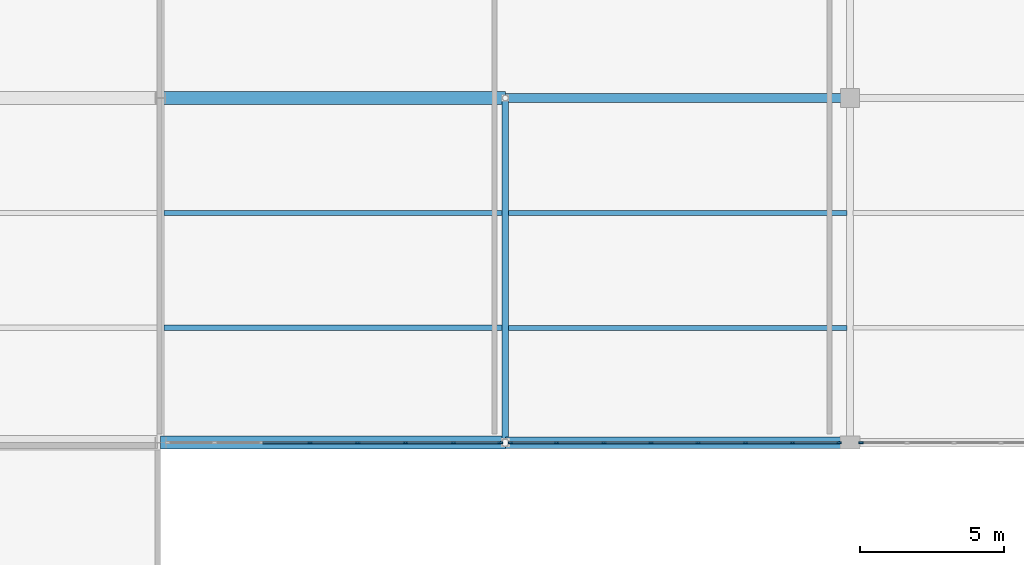
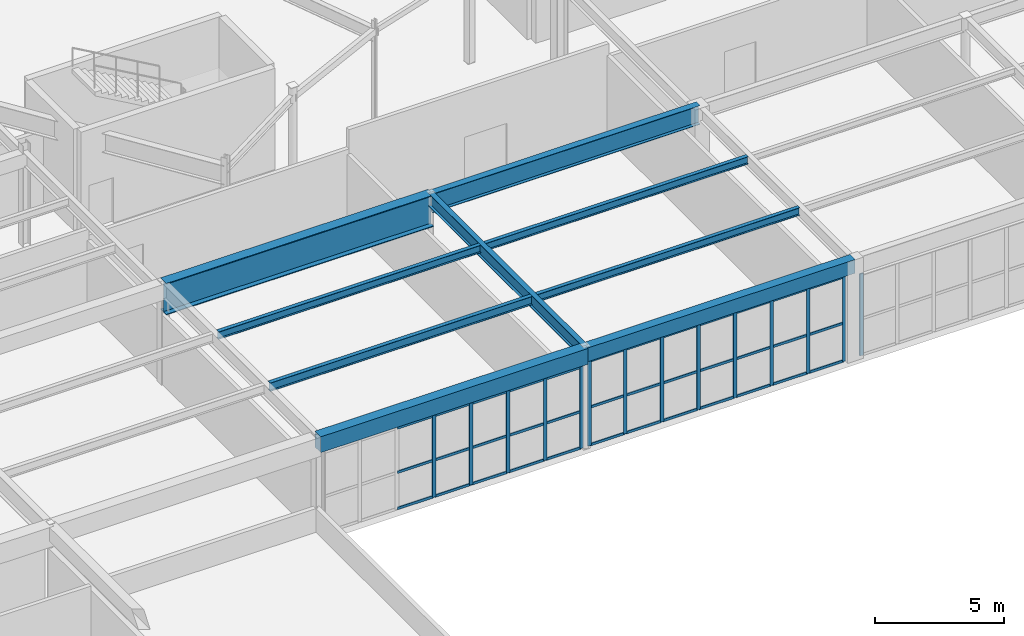
# One storey, part 74 of 186: 50 members, 9 beams, 3 elements without a shape of their own.
"""IFC4 building model written with IfcOpenShell, lengths in metres."""

import ifcopenshell
import ifcopenshell.guid

model = None  # the IFC model being written
_history = None  # IfcOwnerHistory: only IFC2X3 demands one
_inside = {}  # id of a spatial element -> (the spatial element, [elements in it])
_under = {}  # id of a project, library or spatial element -> (it, [spatial elements below it])
_declared = {}  # id of a project -> (the project, [libraries it declares])
_typed = {}  # id of a type object -> (the type object, [elements of that type])
_made_of = {}  # id of a material, layer set ... -> (it, [elements and type objects made of it])


def new_model(schema):
    """Start an empty IFC model of exactly this schema.

    Asked for "IFC4X3", IfcOpenShell would pick the latest addendum, in which some entities
    have other attributes; the version numbers below select the first issue.
    IFC2X3 requires an IfcOwnerHistory on every rooted entity: one is made here for all.
    """
    global model, _history
    if schema == "IFC4X3":
        model = ifcopenshell.file(schema_version=(4, 3, 0, 0))
    else:
        model = ifcopenshell.file(schema=schema)
    _inside.clear()
    _under.clear()
    _declared.clear()
    _typed.clear()
    _made_of.clear()
    _history = None
    if model.schema == "IFC2X3":
        org = make("IfcOrganization", Name="unknown")
        user = make(
            "IfcPersonAndOrganization",
            ThePerson=make("IfcPerson", FamilyName="unknown"),
            TheOrganization=org,
        )
        app = make(
            "IfcApplication",
            ApplicationDeveloper=org,
            Version="unknown",
            ApplicationFullName="unknown",
            ApplicationIdentifier="unknown",
        )
        _history = make(
            "IfcOwnerHistory",
            OwningUser=user,
            OwningApplication=app,
            ChangeAction="ADDED",
            CreationDate=0,
        )
    return model


def make(cls, **values):
    """One entity of the class cls with the attributes given. An attribute that is None is left unset."""
    return model.create_entity(
        cls, **{name: value for name, value in values.items() if value is not None}
    )


def rooted(cls, **values):
    """An entity with a GlobalId (a new one), such as an element, a storey or a relation."""
    return make(cls, GlobalId=ifcopenshell.guid.new(), OwnerHistory=_history, **values)


def si_unit(unit_type, name, prefix=None):
    """IfcSIUnit, for example si_unit("LENGTHUNIT", "METRE", prefix="MILLI")."""
    return make("IfcSIUnit", UnitType=unit_type, Prefix=prefix, Name=name)


def assignment(units):
    """IfcUnitAssignment: the units of a project."""
    return None if units is None else make("IfcUnitAssignment", Units=units)


def point(xyz):
    """IfcCartesianPoint."""
    return None if xyz is None else make("IfcCartesianPoint", Coordinates=xyz)


def direction(xyz):
    """IfcDirection."""
    return None if xyz is None else make("IfcDirection", DirectionRatios=xyz)


def frame(location, z_axis=None, x_axis=None):
    """IfcAxis2Placement3D, a coordinate frame: its origin and axes. An axis left out is left unset."""
    return make(
        "IfcAxis2Placement3D",
        Location=point(location),
        Axis=direction(z_axis),
        RefDirection=direction(x_axis),
    )


def frame_2d(location, x_axis=None):
    """IfcAxis2Placement2D, a coordinate frame in the plane: its origin and x axis."""
    return make(
        "IfcAxis2Placement2D", Location=point(location), RefDirection=direction(x_axis)
    )


def origin():
    """The frame at (0, 0, 0) with its axes left unset."""
    return frame((0.0, 0.0, 0.0))


def origin_2d():
    """The frame at (0, 0) in the plane with its x axis left unset."""
    return frame_2d((0.0, 0.0))


def place(relative_to, where):
    """IfcLocalPlacement: puts the frame where relative to a parent placement (None: the world)."""
    return make(
        "IfcLocalPlacement", PlacementRelTo=relative_to, RelativePlacement=where
    )


def context(
    kind, dimensions, precision=None, world=None, true_north=None, identifier=None
):
    """IfcGeometricRepresentationContext, for example the 3D "Model" context."""
    return make(
        "IfcGeometricRepresentationContext",
        ContextIdentifier=identifier,
        ContextType=kind,
        CoordinateSpaceDimension=dimensions,
        Precision=precision,
        WorldCoordinateSystem=world,
        TrueNorth=true_north,
    )


def subcontext(parent, identifier, kind, view, scale=None):
    """IfcGeometricRepresentationSubContext, for example "Body" below "Model"."""
    return make(
        "IfcGeometricRepresentationSubContext",
        ContextIdentifier=identifier,
        ContextType=kind,
        ParentContext=parent,
        TargetScale=scale,
        TargetView=view,
    )


def project(units=None, contexts=None):
    """IfcProject with its units and contexts."""
    return rooted(
        "IfcProject",
        Name="project",
        RepresentationContexts=contexts,
        UnitsInContext=assignment(units),
    )


def spatial(cls, under=None, at=None, **own):
    """A site, building, storey or space (cls), placed at a placement, below another one or the project."""
    s = rooted(cls, ObjectPlacement=at, **own)
    if under is not None:
        _under.setdefault(under.id(), (under, []))[1].append(s)
    return s


def profile(cls, at=None, kind="AREA", **sizes):
    """A parametric profile (cls). Its sizes go by their IFC names, for example OverallWidth=200.0."""
    return make(cls, ProfileType=kind, Position=at, **sizes)


def rectangle(**sizes):
    """IfcRectangleProfileDef."""
    return profile("IfcRectangleProfileDef", **sizes)


def i_section(**sizes):
    """IfcIShapeProfileDef."""
    return profile("IfcIShapeProfileDef", **sizes)


def extrude(swept, where, along, depth):
    """IfcExtrudedAreaSolid: the profile swept, set in the frame where, extruded along a direction by depth."""
    return make(
        "IfcExtrudedAreaSolid",
        SweptArea=swept,
        Position=where,
        ExtrudedDirection=direction(along),
        Depth=depth,
    )


def shape(context_of_items, identifier, shape_type, items):
    """IfcShapeRepresentation: the items that make up one representation, for example the "Body"."""
    return make(
        "IfcShapeRepresentation",
        ContextOfItems=context_of_items,
        RepresentationIdentifier=identifier,
        RepresentationType=shape_type,
        Items=items,
    )


def material(Name=None, Category=None):
    """IfcMaterial."""
    return make("IfcMaterial", Name=Name, Category=Category)


def layer(
    of_material, thickness, ventilated=None, Name=None, Category=None, Priority=None
):
    """IfcMaterialLayer: one layer of a wall or slab, of a material (None: an air gap)."""
    return make(
        "IfcMaterialLayer",
        Material=of_material,
        LayerThickness=thickness,
        IsVentilated=ventilated,
        Name=Name,
        Category=Category,
        Priority=Priority,
    )


def layer_set(layers, Name=None):
    """IfcMaterialLayerSet."""
    return make("IfcMaterialLayerSet", MaterialLayers=layers, LayerSetName=Name)


def material_profile(
    of_material, cross_section, Name=None, Category=None, Priority=None
):
    """IfcMaterialProfile: a cross section and its material."""
    return make(
        "IfcMaterialProfile",
        Name=Name,
        Material=of_material,
        Profile=cross_section,
        Priority=Priority,
        Category=Category,
    )


def profile_set(profiles, Name=None, composite=None):
    """IfcMaterialProfileSet."""
    return make(
        "IfcMaterialProfileSet",
        Name=Name,
        MaterialProfiles=profiles,
        CompositeProfile=composite,
    )


def made_of(thing, what):
    """Note that an element or type object is made of a material, layer set ...; save() writes the relation."""
    if what is not None:
        _made_of.setdefault(what.id(), (what, []))[1].append(thing)
    return thing


def type_object(cls, material=None, **own):
    """A type object (cls), such as IfcWallType, which elements share."""
    return made_of(rooted(cls, **own), material)


def element(
    cls,
    number,
    at=None,
    inside=None,
    cuts=None,
    type_object=None,
    material=None,
    context=None,
    identifier="Body",
    shape_type=None,
    held_by="IfcProductDefinitionShape",
    body=None,
    shapes=None,
    **own,
):
    """One element of the class cls, such as IfcWall. Its Tag is "e" and its number.

    at: its placement. inside: the storey or other place that contains it. cuts: it is an
    opening in that element (IfcRelVoidsElement). A single representation is given by context,
    identifier, shape_type and body (its items); several are given by shapes. held_by: the class
    of the entity that holds the representations. save() writes the other relations.
    """
    e = rooted(cls, Tag="e%d" % number, ObjectPlacement=at, **own)
    if body is not None:
        shapes = [shape(context, identifier, shape_type, body)]
    if shapes is not None:
        e.Representation = make(held_by, Representations=shapes)
    if inside is not None:
        _inside.setdefault(inside.id(), (inside, []))[1].append(e)
    if cuts is not None:
        rooted(
            "IfcRelVoidsElement", RelatingBuildingElement=cuts, RelatedOpeningElement=e
        )
    if type_object is not None:
        _typed.setdefault(type_object.id(), (type_object, []))[1].append(e)
    return made_of(e, material)


def aggregate(whole, parts):
    """IfcRelAggregates: a whole, such as a stair, and the parts it consists of."""
    return rooted("IfcRelAggregates", RelatingObject=whole, RelatedObjects=parts)


def save(model, path):
    """Write the relations noted so far, then the file.

    IfcRelAggregates (storeys below a building ...), IfcRelContainedInSpatialStructure (elements
    in a storey), IfcRelDefinesByType, IfcRelAssociatesMaterial and IfcRelDeclares: one each for
    every whole, place, type object, material and project.
    """
    for whole, parts in _under.values():
        aggregate(whole, parts)
    for where, things in _inside.values():
        rooted(
            "IfcRelContainedInSpatialStructure",
            RelatedElements=things,
            RelatingStructure=where,
        )
    for kind, things in _typed.values():
        rooted("IfcRelDefinesByType", RelatedObjects=things, RelatingType=kind)
    for what, things in _made_of.values():
        rooted("IfcRelAssociatesMaterial", RelatedObjects=things, RelatingMaterial=what)
    for by, libraries in _declared.values():
        rooted("IfcRelDeclares", RelatingContext=by, RelatedDefinitions=libraries)
    model.write(path)


model = new_model("IFC4")

# Units and contexts
model_context = context("Model", 3, precision=1e-05, world=origin(), true_north=direction((0.0, 1.0)))
body_context = subcontext(model_context, "Body", "Model", "MODEL_VIEW")
ifc_project = project(units=[si_unit("LENGTHUNIT", "METRE"), si_unit("AREAUNIT", "SQUARE_METRE"), si_unit("VOLUMEUNIT", "CUBIC_METRE"), si_unit("PLANEANGLEUNIT", "RADIAN"), si_unit("MASSUNIT", "GRAM", prefix="KILO")], contexts=[model_context])

# Site, building, storey
site_placement = place(None, origin())
site = spatial("IfcSite", under=ifc_project, at=site_placement, CompositionType="ELEMENT")
building_placement = place(site_placement, origin())
building = spatial("IfcBuilding", under=site, at=building_placement, Name="Tarnwether General Hospital", CompositionType="ELEMENT")
storey_placement = place(building_placement, frame((0.0, 0.0, 9.60009765625)))
storey = spatial("IfcBuildingStorey", under=building, at=storey_placement, Name="L02", CompositionType="ELEMENT", Elevation=9.60009765625)

# Beams
ifc_material_1 = material(Name="Steel Grade 350 (350 MPa)", Category="steel")
ifc_material_profile_1 = material_profile(ifc_material_1, i_section(OverallWidth=0.300048828125, OverallDepth=0.89990234375, WebThickness=0.011962890625, FlangeThickness=0.02001953125, at=origin_2d()), Name="900WB175")
ifc_profile_set_1 = profile_set([ifc_material_profile_1], Name="Steel Grade 350 (350 MPa)")
beam_type_1 = type_object("IfcBeamType", Name="BM-G01", PredefinedType="BEAM", material=ifc_profile_set_1)
beam_1_placement = place(storey_placement, frame((72.0, 93.60009765625, 4.349853515625), z_axis=(1.0, 0.0, 0.0), x_axis=(0.0, 1.0, 0.0)))
element("IfcBeam", 1, at=beam_1_placement, inside=storey, type_object=beam_type_1, Name="Primary Girder BMG-L02-7200_9360-8400_9360-1503", PredefinedType="BEAM", context=body_context, shape_type="SweptSolid", body=[
    extrude(i_section(OverallWidth=0.300048828125, OverallDepth=0.89990234375, WebThickness=0.011962890625, FlangeThickness=0.02001953125, at=origin_2d()), origin(), (0.0, 0.0, 1.0), 12.0),
])
ifc_material_2 = material(Name="Steel Grade 350 (350 MPa)", Category="steel")
ifc_material_profile_2 = material_profile(ifc_material_2, i_section(OverallWidth=0.22900390625, OverallDepth=0.612060546875, WebThickness=0.011962890625, FlangeThickness=0.01953125, at=origin_2d()), Name="610UB125")
ifc_profile_set_2 = profile_set([ifc_material_profile_2], Name="Steel Grade 350 (350 MPa)")
beam_type_2 = type_object("IfcBeamType", Name="BM-G03", PredefinedType="BEAM", material=ifc_profile_set_2)
beam_2_placement = place(storey_placement, frame((72.0, 81.60009765625, 4.493896484375), z_axis=(0.0, 1.0, 0.0), x_axis=(-1.0, 0.0, 0.0)))
element("IfcBeam", 2, at=beam_2_placement, inside=storey, type_object=beam_type_2, Name="Primary Girder BMG-L02-7200_8160-7200_9360-1502", PredefinedType="BEAM", context=body_context, shape_type="SweptSolid", body=[
    extrude(i_section(OverallWidth=0.22900390625, OverallDepth=0.612060546875, WebThickness=0.011962890625, FlangeThickness=0.01953125, at=origin_2d()), origin(), (0.0, 0.0, 1.0), 12.0),
])
ifc_material_3 = material(Name="Concrete 40 MPa", Category="concrete")
ifc_material_profile_3 = material_profile(ifc_material_3, rectangle(XDim=0.449951171875, YDim=0.75, at=origin_2d()), Name="RC-BM-450x750")
ifc_profile_set_3 = profile_set([ifc_material_profile_3], Name="Concrete 40 MPa")
beam_type_3 = type_object("IfcBeamType", Name="BM-G13", PredefinedType="BEAM", material=ifc_profile_set_3)
beam_3_placement = place(storey_placement, frame((60.0, 81.60009765625, 4.4248046875), z_axis=(1.0, 0.0, 0.0), x_axis=(0.0, 1.0, 0.0)))
element("IfcBeam", 3, at=beam_3_placement, inside=storey, type_object=beam_type_3, Name="Primary Girder BMG-L02-6000_8160-7200_8160-1491", PredefinedType="BEAM", context=body_context, shape_type="SweptSolid", body=[
    extrude(rectangle(XDim=0.449951171875, YDim=0.75, at=origin_2d()), origin(), (0.0, 0.0, 1.0), 12.0),
])
ifc_material_4 = material(Name="Concrete 40 MPa", Category="concrete")
ifc_material_profile_4 = material_profile(ifc_material_4, rectangle(XDim=0.39990234375, YDim=0.64990234375, at=origin_2d()), Name="RC-BM-400x650")
ifc_profile_set_4 = profile_set([ifc_material_profile_4], Name="Concrete 40 MPa")
beam_type_4 = type_object("IfcBeamType", Name="BM-G14", PredefinedType="BEAM", material=ifc_profile_set_4)
beam_4_placement = place(storey_placement, frame((72.0, 81.60009765625, 4.474853515625), z_axis=(1.0, 0.0, 0.0), x_axis=(0.0, 1.0, 0.0)))
element("IfcBeam", 4, at=beam_4_placement, inside=storey, type_object=beam_type_4, Name="Primary Girder BMG-L02-7200_8160-8400_8160-1501", PredefinedType="BEAM", context=body_context, shape_type="SweptSolid", body=[
    extrude(rectangle(XDim=0.39990234375, YDim=0.64990234375, at=origin_2d()), origin(), (0.0, 0.0, 1.0), 12.0),
])
ifc_material_5 = material(Name="Steel Grade 350 (350 MPa)", Category="steel")
ifc_material_profile_5 = material_profile(ifc_material_5, i_section(OverallWidth=0.177978515625, OverallDepth=0.403076171875, WebThickness=0.007568359375, FlangeThickness=0.010986328125, at=origin_2d()), Name="410UB53.7")
ifc_profile_set_5 = profile_set([ifc_material_profile_5], Name="Steel Grade 350 (350 MPa)")
beam_type_5 = type_object("IfcBeamType", Name="BM-J02", PredefinedType="JOIST", material=ifc_profile_set_5)
beam_5_placement = place(storey_placement, frame((60.118896484375, 85.60009765625, 4.598388671875), z_axis=(1.0, 0.0, 0.0), x_axis=(0.0, 1.0, 0.0)))
element("IfcBeam", 5, at=beam_5_placement, inside=storey, type_object=beam_type_5, Name="Composite Floor Joist BMG-L02-6012_8560-7189_8560-1680", PredefinedType="JOIST", context=body_context, shape_type="SweptSolid", body=[
    extrude(i_section(OverallWidth=0.177978515625, OverallDepth=0.403076171875, WebThickness=0.007568359375, FlangeThickness=0.010986328125, at=origin_2d()), origin(), (0.0, 0.0, 1.0), 11.772216796875),
])
ifc_material_6 = material(Name="Steel Grade 350 (350 MPa)", Category="steel")
ifc_material_profile_6 = material_profile(ifc_material_6, i_section(OverallWidth=0.172119140625, OverallDepth=0.35888671875, WebThickness=0.008056640625, FlangeThickness=0.012939453125, at=origin_2d()), Name="360UB56.7")
ifc_profile_set_6 = profile_set([ifc_material_profile_6], Name="Steel Grade 350 (350 MPa)")
beam_type_6 = type_object("IfcBeamType", Name="BM-J03", PredefinedType="JOIST", material=ifc_profile_set_6)
beam_6_placement = place(storey_placement, frame((60.118896484375, 89.60009765625, 4.620361328125), z_axis=(1.0, 0.0, 0.0), x_axis=(0.0, 1.0, 0.0)))
element("IfcBeam", 6, at=beam_6_placement, inside=storey, type_object=beam_type_6, Name="Composite Floor Joist BMG-L02-6012_8960-7189_8960-1681", PredefinedType="JOIST", context=body_context, shape_type="SweptSolid", body=[
    extrude(i_section(OverallWidth=0.172119140625, OverallDepth=0.35888671875, WebThickness=0.008056640625, FlangeThickness=0.012939453125, at=origin_2d()), origin(), (0.0, 0.0, 1.0), 11.772216796875),
])
beam_7_placement = place(storey_placement, frame((72.10888671875, 85.60009765625, 4.620361328125), z_axis=(1.0, 0.0, 0.0), x_axis=(0.0, 1.0, 0.0)))
element("IfcBeam", 7, at=beam_7_placement, inside=storey, type_object=beam_type_6, Name="Composite Floor Joist BMG-L02-7211_8560-8389_8560-1684", PredefinedType="JOIST", context=body_context, shape_type="SweptSolid", body=[
    extrude(i_section(OverallWidth=0.172119140625, OverallDepth=0.35888671875, WebThickness=0.008056640625, FlangeThickness=0.012939453125, at=origin_2d()), origin(), (0.0, 0.0, 1.0), 11.783203125),
])
ifc_material_7 = material(Name="Steel Grade 350 (350 MPa)", Category="steel")
ifc_material_profile_7 = material_profile(ifc_material_7, i_section(OverallWidth=0.1708984375, OverallDepth=0.35595703125, WebThickness=0.00732421875, FlangeThickness=0.011474609375, at=origin_2d()), Name="360UB50.7")
ifc_profile_set_7 = profile_set([ifc_material_profile_7], Name="Steel Grade 350 (350 MPa)")
beam_type_7 = type_object("IfcBeamType", Name="BM-J04", PredefinedType="JOIST", material=ifc_profile_set_7)
beam_8_placement = place(storey_placement, frame((72.10888671875, 89.60009765625, 4.621826171875), z_axis=(1.0, 0.0, 0.0), x_axis=(0.0, 1.0, 0.0)))
element("IfcBeam", 8, at=beam_8_placement, inside=storey, type_object=beam_type_7, Name="Composite Floor Joist BMG-L02-7211_8960-8389_8960-1685", PredefinedType="JOIST", context=body_context, shape_type="SweptSolid", body=[
    extrude(i_section(OverallWidth=0.1708984375, OverallDepth=0.35595703125, WebThickness=0.00732421875, FlangeThickness=0.011474609375, at=origin_2d()), origin(), (0.0, 0.0, 1.0), 11.783203125),
])
ifc_material_8 = material(Name="Steel Grade 350 (350 MPa)", Category="steel")
ifc_material_profile_8 = material_profile(ifc_material_8, i_section(OverallWidth=0.449951171875, OverallDepth=1.5, WebThickness=0.01806640625, FlangeThickness=0.035888671875, at=origin_2d()), Name="1500WB420")
ifc_profile_set_8 = profile_set([ifc_material_profile_8], Name="Steel Grade 350 (350 MPa)")
beam_type_8 = type_object("IfcBeamType", Name="BM-TG1", PredefinedType="BEAM", material=ifc_profile_set_8)
beam_9_placement = place(storey_placement, frame((60.0, 93.60009765625, 4.0498046875), z_axis=(1.0, 0.0, 0.0), x_axis=(0.0, 1.0, 0.0)))
element("IfcBeam", 9, at=beam_9_placement, inside=storey, type_object=beam_type_8, Name="Transfer Girder TG-01 North West BMG-L02-6000_9360-7200_9360-0005", PredefinedType="BEAM", context=body_context, shape_type="SweptSolid", body=[
    extrude(i_section(OverallWidth=0.449951171875, OverallDepth=1.5, WebThickness=0.01806640625, FlangeThickness=0.035888671875, at=origin_2d()), origin(), (0.0, 0.0, 1.0), 12.0),
])

# Curtain wall, members
ifc_material_9 = material(Name="Anodised aluminium", Category="aluminium")
ifc_layer = layer(ifc_material_9, 0.159912109375)
ifc_layer_set = layer_set([ifc_layer], Name="Anodised aluminium")
curtain_wall_type = type_object("IfcCurtainWallType", Name="CW-23", PredefinedType="NOTDEFINED", material=ifc_layer_set)
curtain_wall_1_placement = place(storey_placement, origin())
curtain_wall_1 = element("IfcCurtainWall", 10, at=curtain_wall_1_placement, inside=storey, type_object=curtain_wall_type, Name="Curtain Wall CWG-L02-602_816-0426", PredefinedType="NOTDEFINED")
ifc_material_10 = material(Name="Anodised aluminium", Category="aluminium")
ifc_material_profile_9 = material_profile(ifc_material_10, rectangle(XDim=0.06005859375, YDim=0.159912109375, at=origin_2d()), Name="ALU-MUL-60x160")
ifc_profile_set_9 = profile_set([ifc_material_profile_9], Name="Anodised aluminium")
member_type_1 = type_object("IfcMemberType", Name="CW-ML1", PredefinedType="MULLION", material=ifc_profile_set_9)
member_1_placement = place(storey_placement, frame((65.199462890625, 81.60009765625, 0.0), z_axis=(0.0, 0.0, 1.0), x_axis=(0.0, 1.0, 0.0)))
member_1 = element("IfcMember", 11, at=member_1_placement, type_object=member_type_1, Name="CW-23 mullion 4", PredefinedType="MULLION", context=body_context, shape_type="SweptSolid", body=[
    extrude(rectangle(XDim=0.06005859375, YDim=0.159912109375, at=origin_2d()), origin(), (0.0, 0.0, 1.0), 3.885009765625),
])
member_2_placement = place(storey_placement, frame((66.863525390625, 81.60009765625, 0.0), z_axis=(0.0, 0.0, 1.0), x_axis=(0.0, 1.0, 0.0)))
member_2 = element("IfcMember", 12, at=member_2_placement, type_object=member_type_1, Name="CW-23 mullion 5", PredefinedType="MULLION", context=body_context, shape_type="SweptSolid", body=[
    extrude(rectangle(XDim=0.06005859375, YDim=0.159912109375, at=origin_2d()), origin(), (0.0, 0.0, 1.0), 3.885009765625),
])
member_3_placement = place(storey_placement, frame((68.52734375, 81.60009765625, 0.0), z_axis=(0.0, 0.0, 1.0), x_axis=(0.0, 1.0, 0.0)))
member_3 = element("IfcMember", 13, at=member_3_placement, type_object=member_type_1, Name="CW-23 mullion 6", PredefinedType="MULLION", context=body_context, shape_type="SweptSolid", body=[
    extrude(rectangle(XDim=0.06005859375, YDim=0.159912109375, at=origin_2d()), origin(), (0.0, 0.0, 1.0), 3.885009765625),
])
member_4_placement = place(storey_placement, frame((70.191162109375, 81.60009765625, 0.0), z_axis=(0.0, 0.0, 1.0), x_axis=(0.0, 1.0, 0.0)))
member_4 = element("IfcMember", 14, at=member_4_placement, type_object=member_type_1, Name="CW-23 mullion 7", PredefinedType="MULLION", context=body_context, shape_type="SweptSolid", body=[
    extrude(rectangle(XDim=0.06005859375, YDim=0.159912109375, at=origin_2d()), origin(), (0.0, 0.0, 1.0), 3.885009765625),
])
member_5_placement = place(storey_placement, frame((71.824951171875, 81.60009765625, 0.0), z_axis=(0.0, 0.0, 1.0), x_axis=(0.0, 1.0, 0.0)))
member_5 = element("IfcMember", 15, at=member_5_placement, type_object=member_type_1, Name="CW-23 mullion 8", PredefinedType="MULLION", context=body_context, shape_type="SweptSolid", body=[
    extrude(rectangle(XDim=0.06005859375, YDim=0.159912109375, at=origin_2d()), origin(), (0.0, 0.0, 1.0), 3.885009765625),
])

curtain_wall_2_placement = place(storey_placement, origin())
curtain_wall_2 = element("IfcCurtainWall", 16, at=curtain_wall_2_placement, inside=storey, type_object=curtain_wall_type, Name="Curtain Wall CWG-L02-721_816-0427", PredefinedType="NOTDEFINED")
member_6_placement = place(storey_placement, frame((72.175048828125, 81.60009765625, 0.0), z_axis=(0.0, 0.0, 1.0), x_axis=(0.0, 1.0, 0.0)))
member_6 = element("IfcMember", 17, at=member_6_placement, type_object=member_type_1, Name="CW-23 mullion 1", PredefinedType="MULLION", context=body_context, shape_type="SweptSolid", body=[
    extrude(rectangle(XDim=0.06005859375, YDim=0.159912109375, at=origin_2d()), origin(), (0.0, 0.0, 1.0), 4.034912109375),
])
member_7_placement = place(storey_placement, frame((73.787353515625, 81.60009765625, 0.0), z_axis=(0.0, 0.0, 1.0), x_axis=(0.0, 1.0, 0.0)))
member_7 = element("IfcMember", 18, at=member_7_placement, type_object=member_type_1, Name="CW-23 mullion 2", PredefinedType="MULLION", context=body_context, shape_type="SweptSolid", body=[
    extrude(rectangle(XDim=0.06005859375, YDim=0.159912109375, at=origin_2d()), origin(), (0.0, 0.0, 1.0), 4.034912109375),
])
member_8_placement = place(storey_placement, frame((75.429931640625, 81.60009765625, 0.0), z_axis=(0.0, 0.0, 1.0), x_axis=(0.0, 1.0, 0.0)))
member_8 = element("IfcMember", 19, at=member_8_placement, type_object=member_type_1, Name="CW-23 mullion 3", PredefinedType="MULLION", context=body_context, shape_type="SweptSolid", body=[
    extrude(rectangle(XDim=0.06005859375, YDim=0.159912109375, at=origin_2d()), origin(), (0.0, 0.0, 1.0), 4.034912109375),
])
member_9_placement = place(storey_placement, frame((77.072265625, 81.60009765625, 0.0), z_axis=(0.0, 0.0, 1.0), x_axis=(0.0, 1.0, 0.0)))
member_9 = element("IfcMember", 20, at=member_9_placement, type_object=member_type_1, Name="CW-23 mullion 4", PredefinedType="MULLION", context=body_context, shape_type="SweptSolid", body=[
    extrude(rectangle(XDim=0.06005859375, YDim=0.159912109375, at=origin_2d()), origin(), (0.0, 0.0, 1.0), 4.034912109375),
])
member_10_placement = place(storey_placement, frame((78.714599609375, 81.60009765625, 0.0), z_axis=(0.0, 0.0, 1.0), x_axis=(0.0, 1.0, 0.0)))
member_10 = element("IfcMember", 21, at=member_10_placement, type_object=member_type_1, Name="CW-23 mullion 5", PredefinedType="MULLION", context=body_context, shape_type="SweptSolid", body=[
    extrude(rectangle(XDim=0.06005859375, YDim=0.159912109375, at=origin_2d()), origin(), (0.0, 0.0, 1.0), 4.034912109375),
])
member_11_placement = place(storey_placement, frame((80.357177734375, 81.60009765625, 0.0), z_axis=(0.0, 0.0, 1.0), x_axis=(0.0, 1.0, 0.0)))
member_11 = element("IfcMember", 22, at=member_11_placement, type_object=member_type_1, Name="CW-23 mullion 6", PredefinedType="MULLION", context=body_context, shape_type="SweptSolid", body=[
    extrude(rectangle(XDim=0.06005859375, YDim=0.159912109375, at=origin_2d()), origin(), (0.0, 0.0, 1.0), 4.034912109375),
])
member_12_placement = place(storey_placement, frame((81.99951171875, 81.60009765625, 0.0), z_axis=(0.0, 0.0, 1.0), x_axis=(0.0, 1.0, 0.0)))
member_12 = element("IfcMember", 23, at=member_12_placement, type_object=member_type_1, Name="CW-23 mullion 7", PredefinedType="MULLION", context=body_context, shape_type="SweptSolid", body=[
    extrude(rectangle(XDim=0.06005859375, YDim=0.159912109375, at=origin_2d()), origin(), (0.0, 0.0, 1.0), 4.034912109375),
])
member_13_placement = place(storey_placement, frame((83.612060546875, 81.60009765625, 0.0), z_axis=(0.0, 0.0, 1.0), x_axis=(0.0, 1.0, 0.0)))
member_13 = element("IfcMember", 24, at=member_13_placement, type_object=member_type_1, Name="CW-23 mullion 8", PredefinedType="MULLION", context=body_context, shape_type="SweptSolid", body=[
    extrude(rectangle(XDim=0.06005859375, YDim=0.159912109375, at=origin_2d()), origin(), (0.0, 0.0, 1.0), 4.034912109375),
])

# Curtain wall, member
curtain_wall_3_placement = place(storey_placement, origin())
curtain_wall_3 = element("IfcCurtainWall", 25, at=curtain_wall_3_placement, inside=storey, type_object=curtain_wall_type, Name="Curtain Wall CWG-L02-844_816-0428", PredefinedType="NOTDEFINED")
member_14_placement = place(storey_placement, frame((84.387939453125, 81.60009765625, 0.0), z_axis=(0.0, 0.0, 1.0), x_axis=(0.0, 1.0, 0.0)))
member_14 = element("IfcMember", 26, at=member_14_placement, type_object=member_type_1, Name="CW-23 mullion 1", PredefinedType="MULLION", context=body_context, shape_type="SweptSolid", body=[
    extrude(rectangle(XDim=0.06005859375, YDim=0.159912109375, at=origin_2d()), origin(), (0.0, 0.0, 1.0), 3.885009765625),
])
aggregate(curtain_wall_3, [member_14])

# Member
ifc_material_11 = material(Name="Anodised aluminium", Category="aluminium")
ifc_material_profile_10 = material_profile(ifc_material_11, rectangle(XDim=0.06005859375, YDim=0.1201171875, at=origin_2d()), Name="ALU-TRN-60x120")
ifc_profile_set_10 = profile_set([ifc_material_profile_10], Name="Anodised aluminium")
member_type_2 = type_object("IfcMemberType", Name="CW-TR1", PredefinedType="USERDEFINED", material=ifc_profile_set_10)
member_15_placement = place(storey_placement, frame((63.565673828125, 81.60009765625, 0.02978515625), z_axis=(1.0, 0.0, 0.0), x_axis=(0.0, 1.0, 0.0)))
member_15 = element("IfcMember", 27, at=member_15_placement, type_object=member_type_2, Name="CW-23 transom 3.1", ObjectType="TRANSOM", PredefinedType="USERDEFINED", context=body_context, shape_type="SweptSolid", body=[
    extrude(rectangle(XDim=0.06005859375, YDim=0.1201171875, at=origin_2d()), origin(), (0.0, 0.0, 1.0), 1.60400390625),
])

member_16_placement = place(storey_placement, frame((63.565673828125, 81.60009765625, 1.748291015625), z_axis=(1.0, 0.0, 0.0), x_axis=(0.0, 1.0, 0.0)))
member_16 = element("IfcMember", 28, at=member_16_placement, type_object=member_type_2, Name="CW-23 transom 3.2", ObjectType="TRANSOM", PredefinedType="USERDEFINED", context=body_context, shape_type="SweptSolid", body=[
    extrude(rectangle(XDim=0.06005859375, YDim=0.1201171875, at=origin_2d()), origin(), (0.0, 0.0, 1.0), 1.60400390625),
])

member_17_placement = place(storey_placement, frame((63.565673828125, 81.60009765625, 3.85498046875), z_axis=(1.0, 0.0, 0.0), x_axis=(0.0, 1.0, 0.0)))
member_17 = element("IfcMember", 29, at=member_17_placement, type_object=member_type_2, Name="CW-23 transom 3.3", ObjectType="TRANSOM", PredefinedType="USERDEFINED", context=body_context, shape_type="SweptSolid", body=[
    extrude(rectangle(XDim=0.06005859375, YDim=0.1201171875, at=origin_2d()), origin(), (0.0, 0.0, 1.0), 1.60400390625),
])

member_18_placement = place(storey_placement, frame((65.2294921875, 81.60009765625, 0.02978515625), z_axis=(1.0, 0.0, 0.0), x_axis=(0.0, 1.0, 0.0)))
member_18 = element("IfcMember", 30, at=member_18_placement, type_object=member_type_2, Name="CW-23 transom 4.1", ObjectType="TRANSOM", PredefinedType="USERDEFINED", context=body_context, shape_type="SweptSolid", body=[
    extrude(rectangle(XDim=0.06005859375, YDim=0.1201171875, at=origin_2d()), origin(), (0.0, 0.0, 1.0), 1.60400390625),
])

member_19_placement = place(storey_placement, frame((65.2294921875, 81.60009765625, 1.748291015625), z_axis=(1.0, 0.0, 0.0), x_axis=(0.0, 1.0, 0.0)))
member_19 = element("IfcMember", 31, at=member_19_placement, type_object=member_type_2, Name="CW-23 transom 4.2", ObjectType="TRANSOM", PredefinedType="USERDEFINED", context=body_context, shape_type="SweptSolid", body=[
    extrude(rectangle(XDim=0.06005859375, YDim=0.1201171875, at=origin_2d()), origin(), (0.0, 0.0, 1.0), 1.60400390625),
])

member_20_placement = place(storey_placement, frame((65.2294921875, 81.60009765625, 3.85498046875), z_axis=(1.0, 0.0, 0.0), x_axis=(0.0, 1.0, 0.0)))
member_20 = element("IfcMember", 32, at=member_20_placement, type_object=member_type_2, Name="CW-23 transom 4.3", ObjectType="TRANSOM", PredefinedType="USERDEFINED", context=body_context, shape_type="SweptSolid", body=[
    extrude(rectangle(XDim=0.06005859375, YDim=0.1201171875, at=origin_2d()), origin(), (0.0, 0.0, 1.0), 1.60400390625),
])

member_21_placement = place(storey_placement, frame((66.893310546875, 81.60009765625, 0.02978515625), z_axis=(1.0, 0.0, 0.0), x_axis=(0.0, 1.0, 0.0)))
member_21 = element("IfcMember", 33, at=member_21_placement, type_object=member_type_2, Name="CW-23 transom 5.1", ObjectType="TRANSOM", PredefinedType="USERDEFINED", context=body_context, shape_type="SweptSolid", body=[
    extrude(rectangle(XDim=0.06005859375, YDim=0.1201171875, at=origin_2d()), origin(), (0.0, 0.0, 1.0), 1.60400390625),
])

member_22_placement = place(storey_placement, frame((66.893310546875, 81.60009765625, 1.748291015625), z_axis=(1.0, 0.0, 0.0), x_axis=(0.0, 1.0, 0.0)))
member_22 = element("IfcMember", 34, at=member_22_placement, type_object=member_type_2, Name="CW-23 transom 5.2", ObjectType="TRANSOM", PredefinedType="USERDEFINED", context=body_context, shape_type="SweptSolid", body=[
    extrude(rectangle(XDim=0.06005859375, YDim=0.1201171875, at=origin_2d()), origin(), (0.0, 0.0, 1.0), 1.60400390625),
])

member_23_placement = place(storey_placement, frame((66.893310546875, 81.60009765625, 3.85498046875), z_axis=(1.0, 0.0, 0.0), x_axis=(0.0, 1.0, 0.0)))
member_23 = element("IfcMember", 35, at=member_23_placement, type_object=member_type_2, Name="CW-23 transom 5.3", ObjectType="TRANSOM", PredefinedType="USERDEFINED", context=body_context, shape_type="SweptSolid", body=[
    extrude(rectangle(XDim=0.06005859375, YDim=0.1201171875, at=origin_2d()), origin(), (0.0, 0.0, 1.0), 1.60400390625),
])

member_24_placement = place(storey_placement, frame((68.557373046875, 81.60009765625, 0.02978515625), z_axis=(1.0, 0.0, 0.0), x_axis=(0.0, 1.0, 0.0)))
member_24 = element("IfcMember", 36, at=member_24_placement, type_object=member_type_2, Name="CW-23 transom 6.1", ObjectType="TRANSOM", PredefinedType="USERDEFINED", context=body_context, shape_type="SweptSolid", body=[
    extrude(rectangle(XDim=0.06005859375, YDim=0.1201171875, at=origin_2d()), origin(), (0.0, 0.0, 1.0), 1.603759765625),
])

member_25_placement = place(storey_placement, frame((68.557373046875, 81.60009765625, 1.748291015625), z_axis=(1.0, 0.0, 0.0), x_axis=(0.0, 1.0, 0.0)))
member_25 = element("IfcMember", 37, at=member_25_placement, type_object=member_type_2, Name="CW-23 transom 6.2", ObjectType="TRANSOM", PredefinedType="USERDEFINED", context=body_context, shape_type="SweptSolid", body=[
    extrude(rectangle(XDim=0.06005859375, YDim=0.1201171875, at=origin_2d()), origin(), (0.0, 0.0, 1.0), 1.603759765625),
])

member_26_placement = place(storey_placement, frame((68.557373046875, 81.60009765625, 3.85498046875), z_axis=(1.0, 0.0, 0.0), x_axis=(0.0, 1.0, 0.0)))
member_26 = element("IfcMember", 38, at=member_26_placement, type_object=member_type_2, Name="CW-23 transom 6.3", ObjectType="TRANSOM", PredefinedType="USERDEFINED", context=body_context, shape_type="SweptSolid", body=[
    extrude(rectangle(XDim=0.06005859375, YDim=0.1201171875, at=origin_2d()), origin(), (0.0, 0.0, 1.0), 1.603759765625),
])

member_27_placement = place(storey_placement, frame((70.22119140625, 81.60009765625, 0.02978515625), z_axis=(1.0, 0.0, 0.0), x_axis=(0.0, 1.0, 0.0)))
member_27 = element("IfcMember", 39, at=member_27_placement, type_object=member_type_2, Name="CW-23 transom 7.1", ObjectType="TRANSOM", PredefinedType="USERDEFINED", context=body_context, shape_type="SweptSolid", body=[
    extrude(rectangle(XDim=0.06005859375, YDim=0.1201171875, at=origin_2d()), origin(), (0.0, 0.0, 1.0), 1.57373046875),
])

member_28_placement = place(storey_placement, frame((70.22119140625, 81.60009765625, 1.748291015625), z_axis=(1.0, 0.0, 0.0), x_axis=(0.0, 1.0, 0.0)))
member_28 = element("IfcMember", 40, at=member_28_placement, type_object=member_type_2, Name="CW-23 transom 7.2", ObjectType="TRANSOM", PredefinedType="USERDEFINED", context=body_context, shape_type="SweptSolid", body=[
    extrude(rectangle(XDim=0.06005859375, YDim=0.1201171875, at=origin_2d()), origin(), (0.0, 0.0, 1.0), 1.57373046875),
])

member_29_placement = place(storey_placement, frame((70.22119140625, 81.60009765625, 3.85498046875), z_axis=(1.0, 0.0, 0.0), x_axis=(0.0, 1.0, 0.0)))
member_29 = element("IfcMember", 41, at=member_29_placement, type_object=member_type_2, Name="CW-23 transom 7.3", ObjectType="TRANSOM", PredefinedType="USERDEFINED", context=body_context, shape_type="SweptSolid", body=[
    extrude(rectangle(XDim=0.06005859375, YDim=0.1201171875, at=origin_2d()), origin(), (0.0, 0.0, 1.0), 1.57373046875),
])

aggregate(curtain_wall_1, [member_1, member_2, member_3, member_4, member_5, member_15, member_16, member_17, member_18, member_19, member_20, member_21, member_22, member_23, member_24, member_25, member_26, member_27, member_28, member_29])

member_30_placement = place(storey_placement, frame((72.205078125, 81.60009765625, 0.02978515625), z_axis=(1.0, 0.0, 0.0), x_axis=(0.0, 1.0, 0.0)))
member_30 = element("IfcMember", 42, at=member_30_placement, type_object=member_type_2, Name="CW-23 transom 1.1", ObjectType="TRANSOM", PredefinedType="USERDEFINED", context=body_context, shape_type="SweptSolid", body=[
    extrude(rectangle(XDim=0.06005859375, YDim=0.1201171875, at=origin_2d()), origin(), (0.0, 0.0, 1.0), 1.55224609375),
])

member_31_placement = place(storey_placement, frame((72.205078125, 81.60009765625, 1.815673828125), z_axis=(1.0, 0.0, 0.0), x_axis=(0.0, 1.0, 0.0)))
member_31 = element("IfcMember", 43, at=member_31_placement, type_object=member_type_2, Name="CW-23 transom 1.2", ObjectType="TRANSOM", PredefinedType="USERDEFINED", context=body_context, shape_type="SweptSolid", body=[
    extrude(rectangle(XDim=0.06005859375, YDim=0.1201171875, at=origin_2d()), origin(), (0.0, 0.0, 1.0), 1.55224609375),
])

member_32_placement = place(storey_placement, frame((72.205078125, 81.60009765625, 4.0048828125), z_axis=(1.0, 0.0, 0.0), x_axis=(0.0, 1.0, 0.0)))
member_32 = element("IfcMember", 44, at=member_32_placement, type_object=member_type_2, Name="CW-23 transom 1.3", ObjectType="TRANSOM", PredefinedType="USERDEFINED", context=body_context, shape_type="SweptSolid", body=[
    extrude(rectangle(XDim=0.06005859375, YDim=0.1201171875, at=origin_2d()), origin(), (0.0, 0.0, 1.0), 1.55224609375),
])

member_33_placement = place(storey_placement, frame((73.8173828125, 81.60009765625, 0.02978515625), z_axis=(1.0, 0.0, 0.0), x_axis=(0.0, 1.0, 0.0)))
member_33 = element("IfcMember", 45, at=member_33_placement, type_object=member_type_2, Name="CW-23 transom 2.1", ObjectType="TRANSOM", PredefinedType="USERDEFINED", context=body_context, shape_type="SweptSolid", body=[
    extrude(rectangle(XDim=0.06005859375, YDim=0.1201171875, at=origin_2d()), origin(), (0.0, 0.0, 1.0), 1.58251953125),
])

member_34_placement = place(storey_placement, frame((73.8173828125, 81.60009765625, 1.815673828125), z_axis=(1.0, 0.0, 0.0), x_axis=(0.0, 1.0, 0.0)))
member_34 = element("IfcMember", 46, at=member_34_placement, type_object=member_type_2, Name="CW-23 transom 2.2", ObjectType="TRANSOM", PredefinedType="USERDEFINED", context=body_context, shape_type="SweptSolid", body=[
    extrude(rectangle(XDim=0.06005859375, YDim=0.1201171875, at=origin_2d()), origin(), (0.0, 0.0, 1.0), 1.58251953125),
])

member_35_placement = place(storey_placement, frame((73.8173828125, 81.60009765625, 4.0048828125), z_axis=(1.0, 0.0, 0.0), x_axis=(0.0, 1.0, 0.0)))
member_35 = element("IfcMember", 47, at=member_35_placement, type_object=member_type_2, Name="CW-23 transom 2.3", ObjectType="TRANSOM", PredefinedType="USERDEFINED", context=body_context, shape_type="SweptSolid", body=[
    extrude(rectangle(XDim=0.06005859375, YDim=0.1201171875, at=origin_2d()), origin(), (0.0, 0.0, 1.0), 1.58251953125),
])

member_36_placement = place(storey_placement, frame((75.4599609375, 81.60009765625, 0.02978515625), z_axis=(1.0, 0.0, 0.0), x_axis=(0.0, 1.0, 0.0)))
member_36 = element("IfcMember", 48, at=member_36_placement, type_object=member_type_2, Name="CW-23 transom 3.1", ObjectType="TRANSOM", PredefinedType="USERDEFINED", context=body_context, shape_type="SweptSolid", body=[
    extrude(rectangle(XDim=0.06005859375, YDim=0.1201171875, at=origin_2d()), origin(), (0.0, 0.0, 1.0), 1.582275390625),
])

member_37_placement = place(storey_placement, frame((75.4599609375, 81.60009765625, 1.815673828125), z_axis=(1.0, 0.0, 0.0), x_axis=(0.0, 1.0, 0.0)))
member_37 = element("IfcMember", 49, at=member_37_placement, type_object=member_type_2, Name="CW-23 transom 3.2", ObjectType="TRANSOM", PredefinedType="USERDEFINED", context=body_context, shape_type="SweptSolid", body=[
    extrude(rectangle(XDim=0.06005859375, YDim=0.1201171875, at=origin_2d()), origin(), (0.0, 0.0, 1.0), 1.582275390625),
])

member_38_placement = place(storey_placement, frame((75.4599609375, 81.60009765625, 4.0048828125), z_axis=(1.0, 0.0, 0.0), x_axis=(0.0, 1.0, 0.0)))
member_38 = element("IfcMember", 50, at=member_38_placement, type_object=member_type_2, Name="CW-23 transom 3.3", ObjectType="TRANSOM", PredefinedType="USERDEFINED", context=body_context, shape_type="SweptSolid", body=[
    extrude(rectangle(XDim=0.06005859375, YDim=0.1201171875, at=origin_2d()), origin(), (0.0, 0.0, 1.0), 1.582275390625),
])

member_39_placement = place(storey_placement, frame((77.102294921875, 81.60009765625, 0.02978515625), z_axis=(1.0, 0.0, 0.0), x_axis=(0.0, 1.0, 0.0)))
member_39 = element("IfcMember", 51, at=member_39_placement, type_object=member_type_2, Name="CW-23 transom 4.1", ObjectType="TRANSOM", PredefinedType="USERDEFINED", context=body_context, shape_type="SweptSolid", body=[
    extrude(rectangle(XDim=0.06005859375, YDim=0.1201171875, at=origin_2d()), origin(), (0.0, 0.0, 1.0), 1.58251953125),
])

member_40_placement = place(storey_placement, frame((77.102294921875, 81.60009765625, 1.815673828125), z_axis=(1.0, 0.0, 0.0), x_axis=(0.0, 1.0, 0.0)))
member_40 = element("IfcMember", 52, at=member_40_placement, type_object=member_type_2, Name="CW-23 transom 4.2", ObjectType="TRANSOM", PredefinedType="USERDEFINED", context=body_context, shape_type="SweptSolid", body=[
    extrude(rectangle(XDim=0.06005859375, YDim=0.1201171875, at=origin_2d()), origin(), (0.0, 0.0, 1.0), 1.58251953125),
])

member_41_placement = place(storey_placement, frame((77.102294921875, 81.60009765625, 4.0048828125), z_axis=(1.0, 0.0, 0.0), x_axis=(0.0, 1.0, 0.0)))
member_41 = element("IfcMember", 53, at=member_41_placement, type_object=member_type_2, Name="CW-23 transom 4.3", ObjectType="TRANSOM", PredefinedType="USERDEFINED", context=body_context, shape_type="SweptSolid", body=[
    extrude(rectangle(XDim=0.06005859375, YDim=0.1201171875, at=origin_2d()), origin(), (0.0, 0.0, 1.0), 1.58251953125),
])

member_42_placement = place(storey_placement, frame((78.74462890625, 81.60009765625, 0.02978515625), z_axis=(1.0, 0.0, 0.0), x_axis=(0.0, 1.0, 0.0)))
member_42 = element("IfcMember", 54, at=member_42_placement, type_object=member_type_2, Name="CW-23 transom 5.1", ObjectType="TRANSOM", PredefinedType="USERDEFINED", context=body_context, shape_type="SweptSolid", body=[
    extrude(rectangle(XDim=0.06005859375, YDim=0.1201171875, at=origin_2d()), origin(), (0.0, 0.0, 1.0), 1.58251953125),
])

member_43_placement = place(storey_placement, frame((78.74462890625, 81.60009765625, 1.815673828125), z_axis=(1.0, 0.0, 0.0), x_axis=(0.0, 1.0, 0.0)))
member_43 = element("IfcMember", 55, at=member_43_placement, type_object=member_type_2, Name="CW-23 transom 5.2", ObjectType="TRANSOM", PredefinedType="USERDEFINED", context=body_context, shape_type="SweptSolid", body=[
    extrude(rectangle(XDim=0.06005859375, YDim=0.1201171875, at=origin_2d()), origin(), (0.0, 0.0, 1.0), 1.58251953125),
])

member_44_placement = place(storey_placement, frame((78.74462890625, 81.60009765625, 4.0048828125), z_axis=(1.0, 0.0, 0.0), x_axis=(0.0, 1.0, 0.0)))
member_44 = element("IfcMember", 56, at=member_44_placement, type_object=member_type_2, Name="CW-23 transom 5.3", ObjectType="TRANSOM", PredefinedType="USERDEFINED", context=body_context, shape_type="SweptSolid", body=[
    extrude(rectangle(XDim=0.06005859375, YDim=0.1201171875, at=origin_2d()), origin(), (0.0, 0.0, 1.0), 1.58251953125),
])

member_45_placement = place(storey_placement, frame((80.38720703125, 81.60009765625, 0.02978515625), z_axis=(1.0, 0.0, 0.0), x_axis=(0.0, 1.0, 0.0)))
member_45 = element("IfcMember", 57, at=member_45_placement, type_object=member_type_2, Name="CW-23 transom 6.1", ObjectType="TRANSOM", PredefinedType="USERDEFINED", context=body_context, shape_type="SweptSolid", body=[
    extrude(rectangle(XDim=0.06005859375, YDim=0.1201171875, at=origin_2d()), origin(), (0.0, 0.0, 1.0), 1.582275390625),
])

member_46_placement = place(storey_placement, frame((80.38720703125, 81.60009765625, 1.815673828125), z_axis=(1.0, 0.0, 0.0), x_axis=(0.0, 1.0, 0.0)))
member_46 = element("IfcMember", 58, at=member_46_placement, type_object=member_type_2, Name="CW-23 transom 6.2", ObjectType="TRANSOM", PredefinedType="USERDEFINED", context=body_context, shape_type="SweptSolid", body=[
    extrude(rectangle(XDim=0.06005859375, YDim=0.1201171875, at=origin_2d()), origin(), (0.0, 0.0, 1.0), 1.582275390625),
])

member_47_placement = place(storey_placement, frame((80.38720703125, 81.60009765625, 4.0048828125), z_axis=(1.0, 0.0, 0.0), x_axis=(0.0, 1.0, 0.0)))
member_47 = element("IfcMember", 59, at=member_47_placement, type_object=member_type_2, Name="CW-23 transom 6.3", ObjectType="TRANSOM", PredefinedType="USERDEFINED", context=body_context, shape_type="SweptSolid", body=[
    extrude(rectangle(XDim=0.06005859375, YDim=0.1201171875, at=origin_2d()), origin(), (0.0, 0.0, 1.0), 1.582275390625),
])

member_48_placement = place(storey_placement, frame((82.029541015625, 81.60009765625, 0.02978515625), z_axis=(1.0, 0.0, 0.0), x_axis=(0.0, 1.0, 0.0)))
member_48 = element("IfcMember", 60, at=member_48_placement, type_object=member_type_2, Name="CW-23 transom 7.1", ObjectType="TRANSOM", PredefinedType="USERDEFINED", context=body_context, shape_type="SweptSolid", body=[
    extrude(rectangle(XDim=0.06005859375, YDim=0.1201171875, at=origin_2d()), origin(), (0.0, 0.0, 1.0), 1.552490234375),
])

member_49_placement = place(storey_placement, frame((82.029541015625, 81.60009765625, 1.815673828125), z_axis=(1.0, 0.0, 0.0), x_axis=(0.0, 1.0, 0.0)))
member_49 = element("IfcMember", 61, at=member_49_placement, type_object=member_type_2, Name="CW-23 transom 7.2", ObjectType="TRANSOM", PredefinedType="USERDEFINED", context=body_context, shape_type="SweptSolid", body=[
    extrude(rectangle(XDim=0.06005859375, YDim=0.1201171875, at=origin_2d()), origin(), (0.0, 0.0, 1.0), 1.552490234375),
])

member_50_placement = place(storey_placement, frame((82.029541015625, 81.60009765625, 4.0048828125), z_axis=(1.0, 0.0, 0.0), x_axis=(0.0, 1.0, 0.0)))
member_50 = element("IfcMember", 62, at=member_50_placement, type_object=member_type_2, Name="CW-23 transom 7.3", ObjectType="TRANSOM", PredefinedType="USERDEFINED", context=body_context, shape_type="SweptSolid", body=[
    extrude(rectangle(XDim=0.06005859375, YDim=0.1201171875, at=origin_2d()), origin(), (0.0, 0.0, 1.0), 1.552490234375),
])

aggregate(curtain_wall_2, [member_6, member_7, member_8, member_9, member_10, member_11, member_12, member_13, member_30, member_31, member_32, member_33, member_34, member_35, member_36, member_37, member_38, member_39, member_40, member_41, member_42, member_43, member_44, member_45, member_46, member_47, member_48, member_49, member_50])

save(model, "model.ifc")
